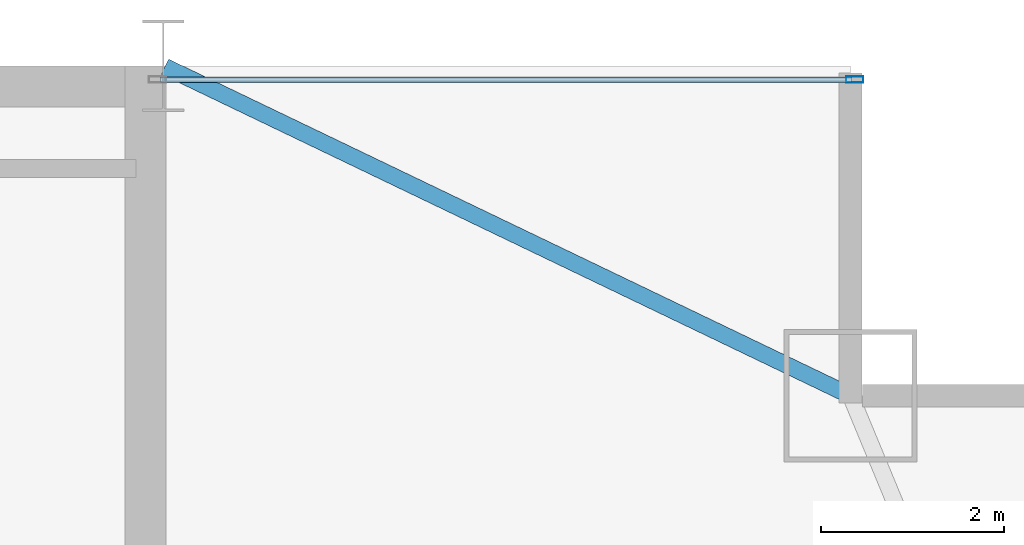
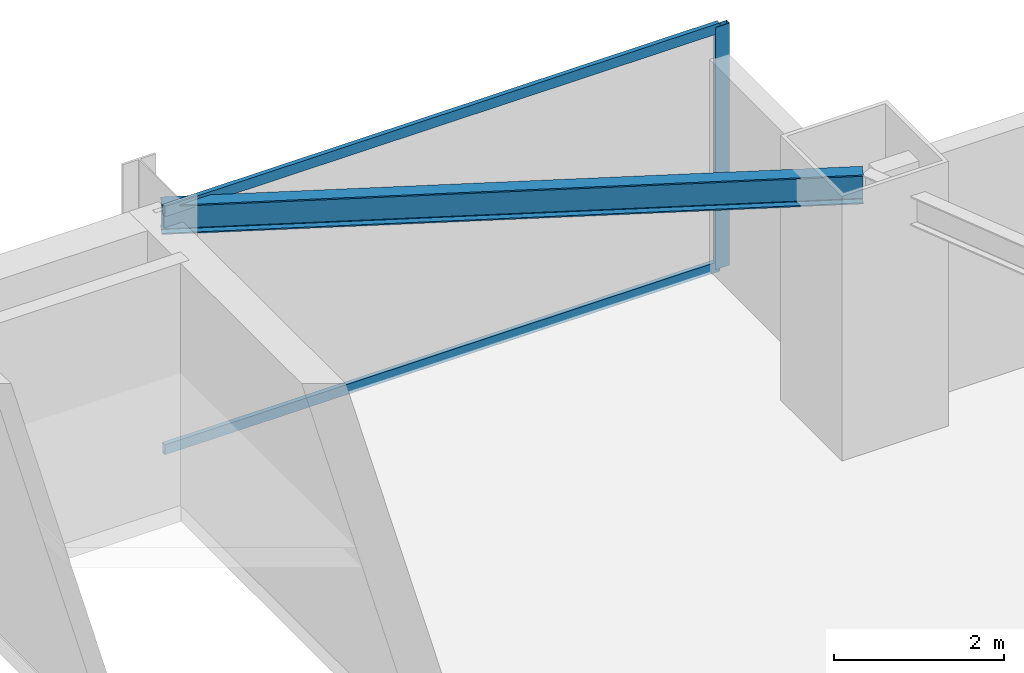
# One storey, part 25 of 33: 3 members, 1 beam, 1 element without a shape of its own.
"""IFC4 building model written with IfcOpenShell, lengths in metres."""

from ifc_helpers import new_model, si_unit, direction, frame, origin, origin_2d, place, context, subcontext, project, spatial, hollow_rectangle, i_section, extrude, source, transform, mapped, material, layer, layer_set, material_profile, profile_set, type_object, type_shapes, element, aggregate, save


model = new_model("IFC4")

# Units and contexts
model_context = context("Model", 3, precision=1e-05, world=origin(), true_north=direction((0.0, 1.0)))
body_context = subcontext(model_context, "Body", "Model", "MODEL_VIEW")
ifc_project = project(units=[si_unit("LENGTHUNIT", "METRE"), si_unit("AREAUNIT", "SQUARE_METRE"), si_unit("VOLUMEUNIT", "CUBIC_METRE"), si_unit("PLANEANGLEUNIT", "RADIAN"), si_unit("MASSUNIT", "GRAM", prefix="KILO")], contexts=[model_context])

# Site, building, storey
site_placement = place(None, origin())
site = spatial("IfcSite", under=ifc_project, at=site_placement, CompositionType="ELEMENT")
building_placement = place(site_placement, origin())
building = spatial("IfcBuilding", under=site, at=building_placement, Name="Varnel Quay Broadcast Tower", CompositionType="ELEMENT")
storey_placement = place(building_placement, frame((0.0, 0.0, 137.199951171875)))
storey = spatial("IfcBuildingStorey", under=building, at=storey_placement, Name="L33", CompositionType="ELEMENT", Elevation=137.199951171875)

# Beam
ifc_material_1 = material(Name="Structural Steel CSA G40.21 350W", Category="steel")
ifc_material_profile_1 = material_profile(ifc_material_1, i_section(OverallWidth=0.180908203125, OverallDepth=0.4169921875, WebThickness=0.010986328125, FlangeThickness=0.018310546875, FilletRadius=0.011962890625, at=origin_2d()), Name="W410X85")
ifc_profile_set_1 = profile_set([ifc_material_profile_1], Name="Structural Steel CSA G40.21 350W")
beam_type = type_object("IfcBeamType", Name="Beam_W410X85", PredefinedType="SPANDREL", material=ifc_profile_set_1)
shared_shape_1 = source(origin(), body_context, "Body", "SweptSolid", [
    extrude(i_section(OverallWidth=0.180908203125, OverallDepth=0.4169921875, WebThickness=0.010986328125, FlangeThickness=0.018310546875, FilletRadius=0.011962890625, at=origin_2d()), origin(), (0.0, 0.0, 1.0), 8.279296875),
])
type_shapes(beam_type, [shared_shape_1])
beam_placement = place(storey_placement, frame((52.41796875, 46.791259765625, 3.271484375), z_axis=(0.901535021024, -0.432706142626, 0.0), x_axis=(0.432706142626, 0.901535021024, 0.0)))
element("IfcBeam", 1, at=beam_placement, inside=storey, type_object=beam_type, Name="L33 NE Tie Spandrel", PredefinedType="SPANDREL", context=body_context, shape_type="MappedRepresentation", body=[
    mapped(shared_shape_1, transform((0.0, 0.0, 0.0), x_axis=(1.0, 0.0, 0.0), y_axis=(0.0, 1.0, 0.0), z_axis=(0.0, 0.0, 1.0), scale=1.0)),
])

# Curtain wall, members
ifc_material_2 = material(Name="Anodised Bronze Aluminium 6063-T6", Category="aluminium")
ifc_layer = layer(ifc_material_2, 0.18994140625, Name="Anodised Bronze Aluminium 6063-T6")
ifc_layer_set = layer_set([ifc_layer], Name="Anodised Bronze Aluminium 6063-T6")
curtain_wall_type = type_object("IfcCurtainWallType", Name="CW_LowerTower", PredefinedType="NOTDEFINED", material=ifc_layer_set)
curtain_wall_placement = place(storey_placement, origin())
curtain_wall = element("IfcCurtainWall", 2, at=curtain_wall_placement, inside=storey, type_object=curtain_wall_type, Name="L33 NE Wing Curtain Wall", PredefinedType="NOTDEFINED")
ifc_material_profile_2 = material_profile(ifc_material_2, hollow_rectangle(XDim=0.06005859375, YDim=0.14501953125, WallThickness=0.00341796875, at=origin_2d()), Name="ALU60X145X3.5")
ifc_profile_set_2 = profile_set([ifc_material_profile_2], Name="Anodised Bronze Aluminium 6063-T6")
member_type_1 = type_object("IfcMemberType", Name="Tran_CWS-02", PredefinedType="USERDEFINED", material=ifc_profile_set_2)
shared_shape_2 = source(origin(), body_context, "Body", "SweptSolid", [
    extrude(hollow_rectangle(XDim=0.06005859375, YDim=0.14501953125, WallThickness=0.00341796875, at=origin_2d()), origin(), (0.0, 0.0, 1.0), 7.539794921875),
])
type_shapes(member_type_1, [shared_shape_2])
member_1_placement = place(storey_placement, frame((52.3701171875, 46.64990234375, 0.030029296875), z_axis=(1.0, 0.0, 0.0), x_axis=(0.0, 1.0, 0.0)))
member_1 = element("IfcMember", 3, at=member_1_placement, type_object=member_type_1, Name="CWS-02 transom 1.1", ObjectType="TRANSOM", PredefinedType="USERDEFINED", context=body_context, shape_type="MappedRepresentation", body=[
    mapped(shared_shape_2, transform((0.0, 0.0, 0.0), x_axis=(1.0, 0.0, 0.0), y_axis=(0.0, 1.0, 0.0), z_axis=(0.0, 0.0, 1.0), scale=1.0)),
])
member_2_placement = place(storey_placement, frame((52.3701171875, 46.64990234375, 3.449951171875), z_axis=(1.0, 0.0, 0.0), x_axis=(0.0, 1.0, 0.0)))
member_2 = element("IfcMember", 4, at=member_2_placement, type_object=member_type_1, Name="CWS-02 transom 1.2", ObjectType="TRANSOM", PredefinedType="USERDEFINED", context=body_context, shape_type="MappedRepresentation", body=[
    mapped(shared_shape_2, transform((0.0, 0.0, 0.0), x_axis=(1.0, 0.0, 0.0), y_axis=(0.0, 1.0, 0.0), z_axis=(0.0, 0.0, 1.0), scale=1.0)),
])
ifc_material_profile_3 = material_profile(ifc_material_2, hollow_rectangle(XDim=0.070068359375, YDim=0.18994140625, WallThickness=0.00390625, at=origin_2d()), Name="ALU70X190X4")
ifc_profile_set_3 = profile_set([ifc_material_profile_3], Name="Anodised Bronze Aluminium 6063-T6")
member_type_2 = type_object("IfcMemberType", Name="Mull_CWS-02", PredefinedType="MULLION", material=ifc_profile_set_3)
shared_shape_3 = source(origin(), body_context, "Body", "SweptSolid", [
    extrude(hollow_rectangle(XDim=0.070068359375, YDim=0.18994140625, WallThickness=0.00390625, at=origin_2d()), origin(), (0.0, 0.0, 1.0), 3.47998046875),
])
type_shapes(member_type_2, [shared_shape_3])
member_3_placement = place(storey_placement, frame((59.945068359375, 46.64990234375, 0.0), z_axis=(0.0, 0.0, 1.0), x_axis=(0.0, 1.0, 0.0)))
member_3 = element("IfcMember", 5, at=member_3_placement, type_object=member_type_2, Name="CWS-02 mullion 2", PredefinedType="MULLION", context=body_context, shape_type="MappedRepresentation", body=[
    mapped(shared_shape_3, transform((0.0, 0.0, 0.0), x_axis=(1.0, 0.0, 0.0), y_axis=(0.0, 1.0, 0.0), z_axis=(0.0, 0.0, 1.0), scale=1.0)),
])
aggregate(curtain_wall, [member_3, member_1, member_2])

save(model, "model.ifc")
